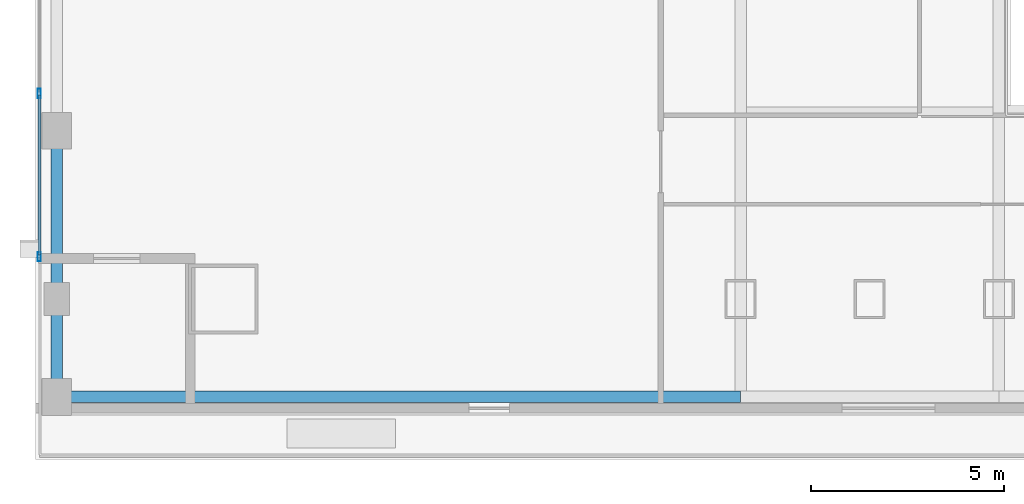
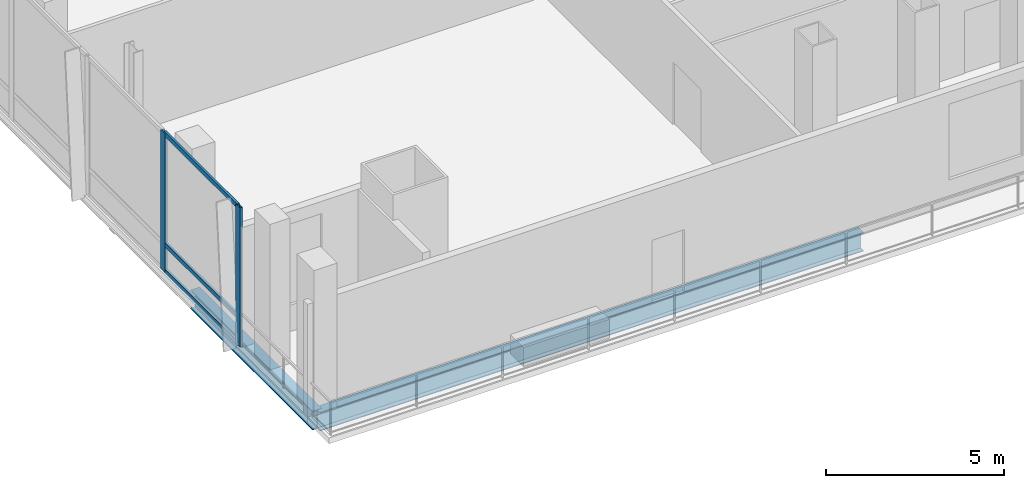
# One storey, part 5 of 25: 5 members, 2 beams, 1 element without a shape of its own.
"""IFC4 building model written with IfcOpenShell, lengths in metres."""

from ifc_helpers import new_model, si_unit, direction, frame, origin, origin_2d, place, context, subcontext, project, spatial, hollow_rectangle, i_section, extrude, material, material_profile, profile_set, type_object, element, aggregate, save


model = new_model("IFC4")

# Units and contexts
model_context = context("Model", 3, precision=1e-05, world=origin(), true_north=direction((0.0, 1.0)))
body_context = subcontext(model_context, "Body", "Model", "MODEL_VIEW")
ifc_project = project(units=[si_unit("LENGTHUNIT", "METRE"), si_unit("AREAUNIT", "SQUARE_METRE"), si_unit("VOLUMEUNIT", "CUBIC_METRE"), si_unit("PLANEANGLEUNIT", "RADIAN"), si_unit("MASSUNIT", "GRAM", prefix="KILO")], contexts=[model_context])

# Site, building, storey
site_placement = place(None, origin())
site = spatial("IfcSite", under=ifc_project, at=site_placement, CompositionType="ELEMENT")
building_placement = place(site_placement, origin())
building = spatial("IfcBuilding", under=site, at=building_placement, Name="Khoronbel Lancet Exchange", CompositionType="ELEMENT")
storey_placement = place(building_placement, frame((0.0, 0.0, 15.39990234375)))
storey = spatial("IfcBuildingStorey", under=building, at=storey_placement, Name="L03", CompositionType="ELEMENT", Elevation=15.39990234375)

# Beams
ifc_material_1 = material(Name="Steel S355", Category="steel")
ifc_material_profile_1 = material_profile(ifc_material_1, i_section(OverallWidth=0.300048828125, OverallDepth=0.64990234375, WebThickness=0.01611328125, FlangeThickness=0.031005859375, at=origin_2d()), Name="HEB 650")
ifc_profile_set_1 = profile_set([ifc_material_profile_1], Name="Steel S355")
beam_type = type_object("IfcBeamType", Name="BM-BSP1", PredefinedType="SPANDREL", material=ifc_profile_set_1)
beam_1_placement = place(storey_placement, frame((0.550048828125, 7.6201171875, -0.52490234375), z_axis=(1.0, 0.0, 0.0), x_axis=(0.0, 1.0, 0.0)))
element("IfcBeam", 1, at=beam_1_placement, inside=storey, type_object=beam_type, Name="Level L03 perimeter spandrel beam SP01", PredefinedType="SPANDREL", context=body_context, shape_type="SweptSolid", body=[
    extrude(i_section(OverallWidth=0.300048828125, OverallDepth=0.64990234375, WebThickness=0.01611328125, FlangeThickness=0.031005859375, at=origin_2d()), origin(), (0.0, 0.0, 1.0), 17.675048828125),
])
beam_2_placement = place(storey_placement, frame((0.550048828125, 14.5, -0.52490234375), z_axis=(0.0, -1.0, 0.0), x_axis=(1.0, 0.0, 0.0)))
element("IfcBeam", 2, at=beam_2_placement, inside=storey, type_object=beam_type, Name="Level L03 perimeter spandrel beam SP19", PredefinedType="SPANDREL", context=body_context, shape_type="SweptSolid", body=[
    extrude(i_section(OverallWidth=0.300048828125, OverallDepth=0.64990234375, WebThickness=0.01611328125, FlangeThickness=0.031005859375, at=origin_2d()), origin(), (0.0, 0.0, 1.0), 6.8798828125),
])

# Curtain wall, members
ifc_material_2 = material(Name="Low-E Solar Control Insulating Glass", Category="glass")
curtain_wall_type = type_object("IfcCurtainWallType", Name="CW-5", PredefinedType="NOTDEFINED", material=ifc_material_2)
curtain_wall_placement = place(storey_placement, origin())
curtain_wall = element("IfcCurtainWall", 3, at=curtain_wall_placement, inside=storey, type_object=curtain_wall_type, Name="Unitised curtain wall CW-L03-WEST", PredefinedType="NOTDEFINED")
ifc_material_3 = material(Name="Bronze-Anodised Aluminium 6063-T6", Category="aluminium")
ifc_material_profile_2 = material_profile(ifc_material_3, hollow_rectangle(XDim=0.0849609375, YDim=0.239990234375, WallThickness=0.006103515625, at=origin_2d()), Name="ALU MULLION 85x240")
ifc_profile_set_2 = profile_set([ifc_material_profile_2], Name="Bronze-Anodised Aluminium 6063-T6")
member_type_1 = type_object("IfcMemberType", Name="MEM-CWM1", PredefinedType="MULLION", material=ifc_profile_set_2)
member_1_placement = place(storey_placement, frame((0.10009765625, 15.466552734375, 0.0), z_axis=(0.0, 0.0, 1.0), x_axis=(1.0, 0.0, 0.0)))
member_1 = element("IfcMember", 4, at=member_1_placement, type_object=member_type_1, Name="CW5 mullion 9", PredefinedType="MULLION", context=body_context, shape_type="SweptSolid", body=[
    extrude(hollow_rectangle(XDim=0.0849609375, YDim=0.239990234375, WallThickness=0.006103515625, at=origin_2d()), origin(), (0.0, 0.0, 1.0), 4.780029296875),
])
member_2_placement = place(storey_placement, frame((0.10009765625, 11.242431640625, 0.0), z_axis=(0.0, 0.0, 1.0), x_axis=(1.0, 0.0, 0.0)))
member_2 = element("IfcMember", 5, at=member_2_placement, type_object=member_type_1, Name="CW5 mullion 10", PredefinedType="MULLION", context=body_context, shape_type="SweptSolid", body=[
    extrude(hollow_rectangle(XDim=0.0849609375, YDim=0.239990234375, WallThickness=0.006103515625, at=origin_2d()), origin(), (0.0, 0.0, 1.0), 4.780029296875),
])
ifc_material_profile_3 = material_profile(ifc_material_3, hollow_rectangle(XDim=0.074951171875, YDim=0.14990234375, WallThickness=0.00439453125, at=origin_2d()), Name="ALU TRANSOM 75x150")
ifc_profile_set_3 = profile_set([ifc_material_profile_3], Name="Bronze-Anodised Aluminium 6063-T6")
member_type_2 = type_object("IfcMemberType", Name="MEM-CWT2", PredefinedType="USERDEFINED", material=ifc_profile_set_3)
member_3_placement = place(storey_placement, frame((0.10009765625, 15.424072265625, 0.03759765625), z_axis=(0.0, -1.0, 0.0), x_axis=(1.0, 0.0, 0.0)))
member_3 = element("IfcMember", 6, at=member_3_placement, type_object=member_type_2, Name="CW5 transom 9.1", ObjectType="TRANSOM", PredefinedType="USERDEFINED", context=body_context, shape_type="SweptSolid", body=[
    extrude(hollow_rectangle(XDim=0.074951171875, YDim=0.14990234375, WallThickness=0.00439453125, at=origin_2d()), origin(), (0.0, 0.0, 1.0), 4.13916015625),
])
member_4_placement = place(storey_placement, frame((0.10009765625, 15.424072265625, 0.9501953125), z_axis=(0.0, -1.0, 0.0), x_axis=(1.0, 0.0, 0.0)))
member_4 = element("IfcMember", 7, at=member_4_placement, type_object=member_type_2, Name="CW5 transom 9.2", ObjectType="TRANSOM", PredefinedType="USERDEFINED", context=body_context, shape_type="SweptSolid", body=[
    extrude(hollow_rectangle(XDim=0.074951171875, YDim=0.14990234375, WallThickness=0.00439453125, at=origin_2d()), origin(), (0.0, 0.0, 1.0), 4.13916015625),
])
member_5_placement = place(storey_placement, frame((0.10009765625, 15.424072265625, 4.74267578125), z_axis=(0.0, -1.0, 0.0), x_axis=(1.0, 0.0, 0.0)))
member_5 = element("IfcMember", 8, at=member_5_placement, type_object=member_type_2, Name="CW5 transom 9.3", ObjectType="TRANSOM", PredefinedType="USERDEFINED", context=body_context, shape_type="SweptSolid", body=[
    extrude(hollow_rectangle(XDim=0.074951171875, YDim=0.14990234375, WallThickness=0.00439453125, at=origin_2d()), origin(), (0.0, 0.0, 1.0), 4.13916015625),
])
aggregate(curtain_wall, [member_1, member_2, member_3, member_4, member_5])

save(model, "model.ifc")
